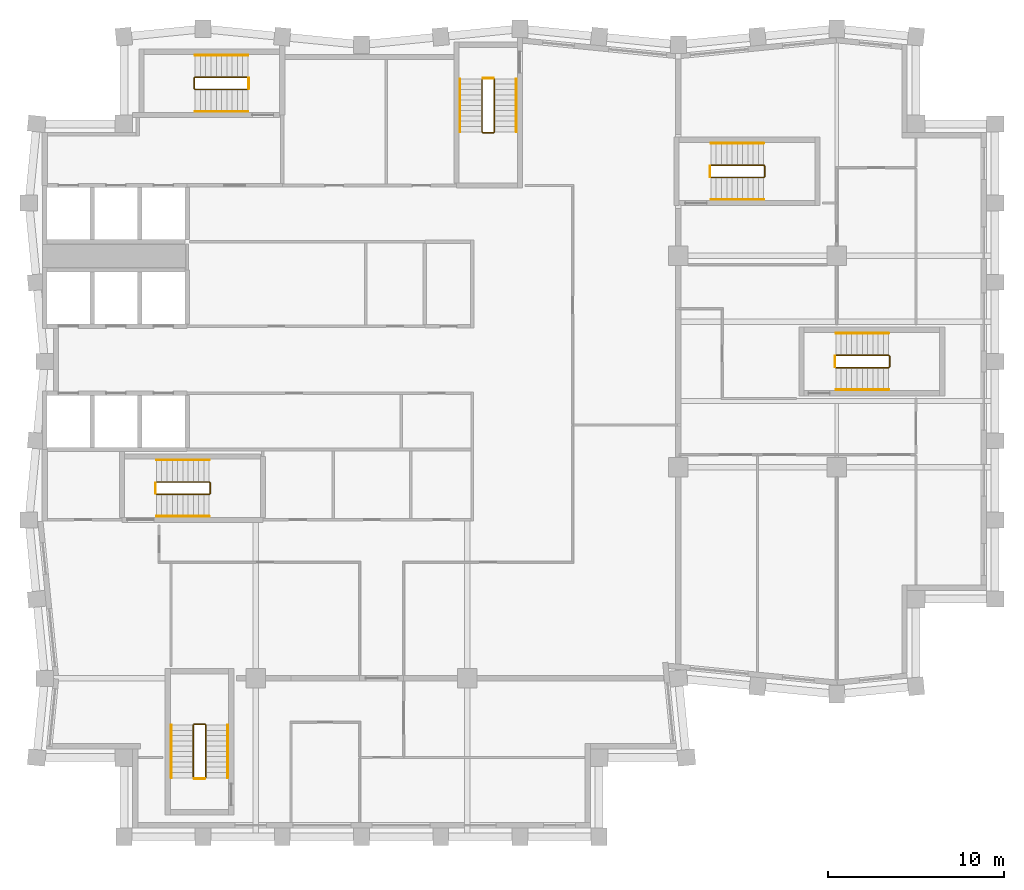
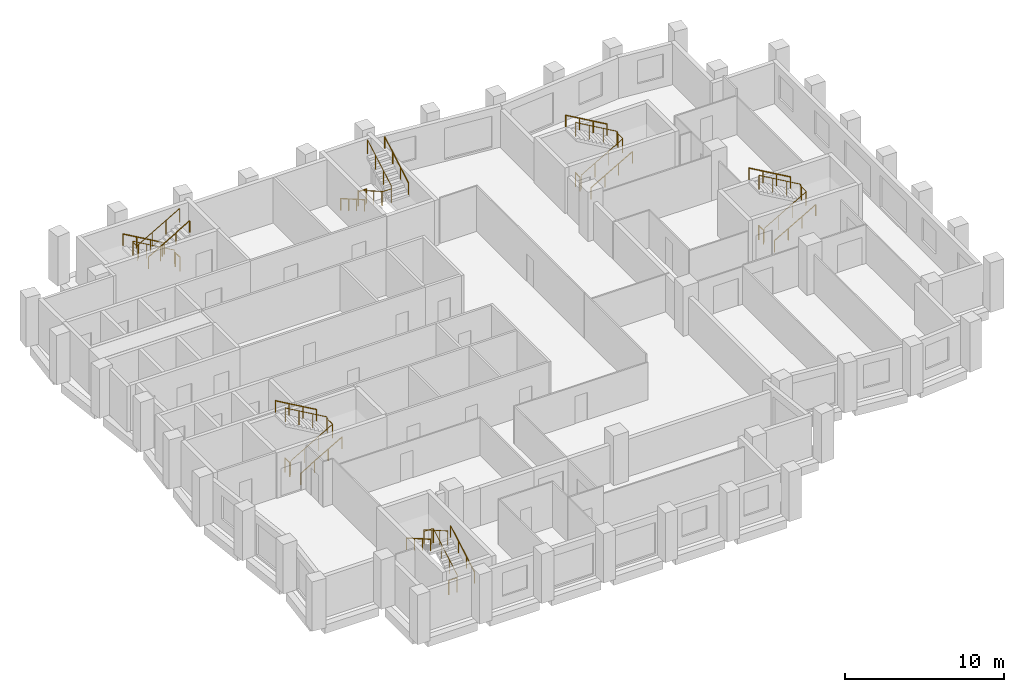
# One storey, part 8 of 8: 24 railings.
"""IFC4 building model written with IfcOpenShell, lengths in metres."""

from ifc_helpers import new_model, si_unit, direction, frame, origin, origin_2d, place, context, subcontext, project, spatial, circle, extrude, material, type_object, element, save


model = new_model("IFC4")

# Units and contexts
model_context = context("Model", 3, precision=1e-05, world=origin(), true_north=direction((0.0, 1.0)))
body_context = subcontext(model_context, "Body", "Model", "MODEL_VIEW")
ifc_project = project(units=[si_unit("LENGTHUNIT", "METRE"), si_unit("AREAUNIT", "SQUARE_METRE"), si_unit("VOLUMEUNIT", "CUBIC_METRE"), si_unit("PLANEANGLEUNIT", "RADIAN"), si_unit("MASSUNIT", "GRAM", prefix="KILO")], contexts=[model_context])

# Site, building, storey
site_placement = place(None, origin())
site = spatial("IfcSite", under=ifc_project, at=site_placement, CompositionType="ELEMENT")
building_placement = place(site_placement, origin())
building = spatial("IfcBuilding", under=site, at=building_placement, Name="Brondeck Convention Tower", CompositionType="ELEMENT")
storey_placement = place(building_placement, frame((0.0, 0.0, 217.800048828125)))
storey = spatial("IfcBuildingStorey", under=building, at=storey_placement, Name="L53", CompositionType="ELEMENT", Elevation=217.800048828125)

# Railings
ifc_material = material(Name="Steel S355", Category="steel")
railing_type_1 = type_object("IfcRailingType", Name="Stair guard 1100", PredefinedType="GUARDRAIL", material=ifc_material)
railing_1_placement = place(storey_placement, frame((6.35009765625, 37.449951171875, 0.172607421875)))
element("IfcRailing", 1, at=railing_1_placement, inside=storey, type_object=railing_type_1, Name="L53 ST-1 stair guard 1", PredefinedType="GUARDRAIL", context=body_context, shape_type="SweptSolid", body=[
    extrude(circle(Radius=0.02392578125, at=origin_2d()), frame((0.0, 0.0, 1.076171875), z_axis=(0.866619684472, 0.0, 0.498969260062), x_axis=(0.0, 1.0, 0.0)), (0.0, 0.0, 1.0), 3.461669921875),
    extrude(circle(Radius=0.02392578125, at=origin_2d()), frame((3.0, 0.0, 2.80322265625), z_axis=(0.705375805398, 0.708833529934, 0.0), x_axis=(-0.708833529934, 0.705375805398, 0.0)), (0.0, 0.0, 1.0), 0.070556640625),
    extrude(circle(Radius=0.02392578125, at=origin_2d()), frame((3.0498046875, 0.050048828125, 2.80322265625), z_axis=(0.0, 1.0, 0.0), x_axis=(-1.0, 0.0, 0.0)), (0.0, 0.0, 1.0), 0.60009765625),
    extrude(circle(Radius=0.02392578125, at=origin_2d()), frame((3.0498046875, 0.650146484375, 2.80322265625), z_axis=(-0.266832911964, 0.266832911964, 0.926067165051), x_axis=(-0.707106781187, -0.707106781187, 0.0)), (0.0, 0.0, 1.0), 0.186767578125),
    extrude(circle(Radius=0.02392578125, at=origin_2d()), frame((3.0, 0.699951171875, 2.97607421875), z_axis=(-0.866619684472, 0.0, 0.498969260062), x_axis=(0.0, -1.0, 0.0)), (0.0, 0.0, 1.0), 3.461669921875),
    extrude(circle(Radius=0.02099609375, at=origin_2d()), origin(), (0.0, 0.0, 1.0), 1.052001953125),
    extrude(circle(Radius=0.02099609375, at=origin_2d()), frame((1.0, 0.0, 0.57568359375)), (0.0, 0.0, 1.0), 1.052001953125),
    extrude(circle(Radius=0.02099609375, at=origin_2d()), frame((2.0, 0.0, 1.151611328125)), (0.0, 0.0, 1.0), 1.052001953125),
    extrude(circle(Radius=0.02099609375, at=origin_2d()), frame((3.0, 0.0, 1.727294921875)), (0.0, 0.0, 1.0), 1.052001953125),
    extrude(circle(Radius=0.02099609375, at=origin_2d()), frame((3.0498046875, 0.050048828125, 1.727294921875)), (0.0, 0.0, 1.0), 1.052001953125),
    extrude(circle(Radius=0.02099609375, at=origin_2d()), frame((3.0498046875, 0.650146484375, 1.727294921875)), (0.0, 0.0, 1.0), 1.052001953125),
    extrude(circle(Radius=0.02099609375, at=origin_2d()), frame((3.0, 0.699951171875, 1.900146484375)), (0.0, 0.0, 1.0), 1.052001953125),
    extrude(circle(Radius=0.02099609375, at=origin_2d()), frame((2.0, 0.699951171875, 2.475830078125)), (0.0, 0.0, 1.0), 1.052001953125),
    extrude(circle(Radius=0.02099609375, at=origin_2d()), frame((1.0, 0.699951171875, 3.0517578125)), (0.0, 0.0, 1.0), 1.052001953125),
    extrude(circle(Radius=0.02099609375, at=origin_2d()), frame((0.0, 0.699951171875, 3.62744140625)), (0.0, 0.0, 1.0), 1.052001953125),
])
railing_2_placement = place(storey_placement, frame((6.300048828125, 37.5, 0.0)))
element("IfcRailing", 2, at=railing_2_placement, inside=storey, type_object=railing_type_1, Name="L53 ST-1 stair guard 2", PredefinedType="GUARDRAIL", context=body_context, shape_type="SweptSolid", body=[
    extrude(circle(Radius=0.02392578125, at=origin_2d()), frame((0.0, 0.0, 1.076171875), z_axis=(0.0, 1.0, 0.0), x_axis=(-1.0, 0.0, 0.0)), (0.0, 0.0, 1.0), 0.60009765625),
    extrude(circle(Radius=0.02099609375, at=origin_2d()), origin(), (0.0, 0.0, 1.0), 1.052001953125),
    extrude(circle(Radius=0.02099609375, at=origin_2d()), frame((0.0, 0.60009765625, 0.0)), (0.0, 0.0, 1.0), 1.052001953125),
])
railing_3_placement = place(storey_placement, frame((24.85009765625, 61.050048828125, 0.172607421875)))
element("IfcRailing", 3, at=railing_3_placement, inside=storey, type_object=railing_type_1, Name="L53 ST-2 stair guard 1", PredefinedType="GUARDRAIL", context=body_context, shape_type="SweptSolid", body=[
    extrude(circle(Radius=0.02392578125, at=origin_2d()), frame((0.0, 0.0, 1.076171875), z_axis=(0.0, -0.866619684472, 0.498969260062), x_axis=(1.0, 0.0, 0.0)), (0.0, 0.0, 1.0), 3.461669921875),
    extrude(circle(Radius=0.02392578125, at=origin_2d()), frame((0.0, -3.0, 2.80322265625), z_axis=(0.705375805398, -0.708833529934, 0.0), x_axis=(0.708833529934, 0.705375805398, 0.0)), (0.0, 0.0, 1.0), 0.070556640625),
    extrude(circle(Radius=0.02392578125, at=origin_2d()), frame((0.0498046875, -3.050048828125, 2.80322265625), z_axis=(1.0, 0.0, 0.0), x_axis=(0.0, 1.0, 0.0)), (0.0, 0.0, 1.0), 0.60009765625),
    extrude(circle(Radius=0.02392578125, at=origin_2d()), frame((0.64990234375, -3.050048828125, 2.80322265625), z_axis=(0.267953482034, 0.267953482034, 0.925419830635), x_axis=(-0.707106781187, 0.707106781187, 0.0)), (0.0, 0.0, 1.0), 0.186767578125),
    extrude(circle(Radius=0.02392578125, at=origin_2d()), frame((0.699951171875, -3.0, 2.97607421875), z_axis=(0.0, 0.866619684472, 0.498969260062), x_axis=(-1.0, 0.0, 0.0)), (0.0, 0.0, 1.0), 3.461669921875),
    extrude(circle(Radius=0.02099609375, at=origin_2d()), origin(), (0.0, 0.0, 1.0), 1.052001953125),
    extrude(circle(Radius=0.02099609375, at=origin_2d()), frame((0.0, -1.0, 0.57568359375)), (0.0, 0.0, 1.0), 1.052001953125),
    extrude(circle(Radius=0.02099609375, at=origin_2d()), frame((0.0, -2.0, 1.151611328125)), (0.0, 0.0, 1.0), 1.052001953125),
    extrude(circle(Radius=0.02099609375, at=origin_2d()), frame((0.0, -3.0, 1.727294921875)), (0.0, 0.0, 1.0), 1.052001953125),
    extrude(circle(Radius=0.02099609375, at=origin_2d()), frame((0.0498046875, -3.050048828125, 1.727294921875)), (0.0, 0.0, 1.0), 1.052001953125),
    extrude(circle(Radius=0.02099609375, at=origin_2d()), frame((0.64990234375, -3.050048828125, 1.727294921875)), (0.0, 0.0, 1.0), 1.052001953125),
    extrude(circle(Radius=0.02099609375, at=origin_2d()), frame((0.699951171875, -3.0, 1.900146484375)), (0.0, 0.0, 1.0), 1.052001953125),
    extrude(circle(Radius=0.02099609375, at=origin_2d()), frame((0.699951171875, -2.0, 2.475830078125)), (0.0, 0.0, 1.0), 1.052001953125),
    extrude(circle(Radius=0.02099609375, at=origin_2d()), frame((0.699951171875, -1.0, 3.0517578125)), (0.0, 0.0, 1.0), 1.052001953125),
    extrude(circle(Radius=0.02099609375, at=origin_2d()), frame((0.699951171875, 0.0, 3.62744140625)), (0.0, 0.0, 1.0), 1.052001953125),
])
railing_4_placement = place(storey_placement, frame((24.89990234375, 61.10009765625, 0.0)))
element("IfcRailing", 4, at=railing_4_placement, inside=storey, type_object=railing_type_1, Name="L53 ST-2 stair guard 2", PredefinedType="GUARDRAIL", context=body_context, shape_type="SweptSolid", body=[
    extrude(circle(Radius=0.02392578125, at=origin_2d()), frame((0.0, 0.0, 1.076171875), z_axis=(1.0, 0.0, 0.0), x_axis=(0.0, 1.0, 0.0)), (0.0, 0.0, 1.0), 0.60009765625),
    extrude(circle(Radius=0.02099609375, at=origin_2d()), origin(), (0.0, 0.0, 1.0), 1.052001953125),
    extrude(circle(Radius=0.02099609375, at=origin_2d()), frame((0.60009765625, 0.0, 0.0)), (0.0, 0.0, 1.0), 1.052001953125),
])
railing_5_placement = place(storey_placement, frame((11.550048828125, 61.14990234375, 0.172607421875)))
element("IfcRailing", 5, at=railing_5_placement, inside=storey, type_object=railing_type_1, Name="L53 ST-3 stair guard 1", PredefinedType="GUARDRAIL", context=body_context, shape_type="SweptSolid", body=[
    extrude(circle(Radius=0.02392578125, at=origin_2d()), frame((0.0, 0.0, 1.076171875), z_axis=(-0.866619684472, 0.0, 0.498969260062), x_axis=(0.0, -1.0, 0.0)), (0.0, 0.0, 1.0), 3.461669921875),
    extrude(circle(Radius=0.02392578125, at=origin_2d()), frame((-3.0, 0.0, 2.80322265625), z_axis=(-0.708833529934, -0.705375805398, 0.0), x_axis=(0.705375805398, -0.708833529934, 0.0)), (0.0, 0.0, 1.0), 0.070556640625),
    extrude(circle(Radius=0.02392578125, at=origin_2d()), frame((-3.050048828125, -0.0498046875, 2.80322265625), z_axis=(0.0, -1.0, 0.0), x_axis=(1.0, 0.0, 0.0)), (0.0, 0.0, 1.0), 0.60009765625),
    extrude(circle(Radius=0.02392578125, at=origin_2d()), frame((-3.050048828125, -0.64990234375, 2.80322265625), z_axis=(0.267953482034, -0.267953482034, 0.925419830635), x_axis=(0.707106781187, 0.707106781187, 0.0)), (0.0, 0.0, 1.0), 0.186767578125),
    extrude(circle(Radius=0.02392578125, at=origin_2d()), frame((-3.0, -0.699951171875, 2.97607421875), z_axis=(0.866619684472, 0.0, 0.498969260062), x_axis=(0.0, 1.0, 0.0)), (0.0, 0.0, 1.0), 3.461669921875),
    extrude(circle(Radius=0.02099609375, at=origin_2d()), origin(), (0.0, 0.0, 1.0), 1.052001953125),
    extrude(circle(Radius=0.02099609375, at=origin_2d()), frame((-1.0, 0.0, 0.57568359375)), (0.0, 0.0, 1.0), 1.052001953125),
    extrude(circle(Radius=0.02099609375, at=origin_2d()), frame((-2.0, 0.0, 1.151611328125)), (0.0, 0.0, 1.0), 1.052001953125),
    extrude(circle(Radius=0.02099609375, at=origin_2d()), frame((-3.0, 0.0, 1.727294921875)), (0.0, 0.0, 1.0), 1.052001953125),
    extrude(circle(Radius=0.02099609375, at=origin_2d()), frame((-3.050048828125, -0.0498046875, 1.727294921875)), (0.0, 0.0, 1.0), 1.052001953125),
    extrude(circle(Radius=0.02099609375, at=origin_2d()), frame((-3.050048828125, -0.64990234375, 1.727294921875)), (0.0, 0.0, 1.0), 1.052001953125),
    extrude(circle(Radius=0.02099609375, at=origin_2d()), frame((-3.0, -0.699951171875, 1.900146484375)), (0.0, 0.0, 1.0), 1.052001953125),
    extrude(circle(Radius=0.02099609375, at=origin_2d()), frame((-2.0, -0.699951171875, 2.475830078125)), (0.0, 0.0, 1.0), 1.052001953125),
    extrude(circle(Radius=0.02099609375, at=origin_2d()), frame((-1.0, -0.699951171875, 3.0517578125)), (0.0, 0.0, 1.0), 1.052001953125),
    extrude(circle(Radius=0.02099609375, at=origin_2d()), frame((0.0, -0.699951171875, 3.62744140625)), (0.0, 0.0, 1.0), 1.052001953125),
])
railing_6_placement = place(storey_placement, frame((11.60009765625, 61.10009765625, 0.0)))
element("IfcRailing", 6, at=railing_6_placement, inside=storey, type_object=railing_type_1, Name="L53 ST-3 stair guard 2", PredefinedType="GUARDRAIL", context=body_context, shape_type="SweptSolid", body=[
    extrude(circle(Radius=0.02392578125, at=origin_2d()), frame((0.0, 0.0, 1.076171875), z_axis=(0.0, -1.0, 0.0), x_axis=(1.0, 0.0, 0.0)), (0.0, 0.0, 1.0), 0.60009765625),
    extrude(circle(Radius=0.02099609375, at=origin_2d()), origin(), (0.0, 0.0, 1.0), 1.052001953125),
    extrude(circle(Radius=0.02099609375, at=origin_2d()), frame((0.0, -0.60009765625, 0.0)), (0.0, 0.0, 1.0), 1.052001953125),
])
railing_7_placement = place(storey_placement, frame((37.85009765625, 55.449951171875, 0.172607421875)))
element("IfcRailing", 7, at=railing_7_placement, inside=storey, type_object=railing_type_1, Name="L53 ST-AE stair guard 1", PredefinedType="GUARDRAIL", context=body_context, shape_type="SweptSolid", body=[
    extrude(circle(Radius=0.02392578125, at=origin_2d()), frame((0.0, 0.0, 1.076171875), z_axis=(0.866619684472, 0.0, 0.498969260062), x_axis=(0.0, 1.0, 0.0)), (0.0, 0.0, 1.0), 3.461669921875),
    extrude(circle(Radius=0.02392578125, at=origin_2d()), frame((3.0, 0.0, 2.80322265625), z_axis=(0.705375805398, 0.708833529934, 0.0), x_axis=(-0.708833529934, 0.705375805398, 0.0)), (0.0, 0.0, 1.0), 0.070556640625),
    extrude(circle(Radius=0.02392578125, at=origin_2d()), frame((3.0498046875, 0.050048828125, 2.80322265625), z_axis=(0.0, 1.0, 0.0), x_axis=(-1.0, 0.0, 0.0)), (0.0, 0.0, 1.0), 0.60009765625),
    extrude(circle(Radius=0.02392578125, at=origin_2d()), frame((3.0498046875, 0.650146484375, 2.80322265625), z_axis=(-0.266832911964, 0.266832911964, 0.926067165051), x_axis=(-0.707106781187, -0.707106781187, 0.0)), (0.0, 0.0, 1.0), 0.186767578125),
    extrude(circle(Radius=0.02392578125, at=origin_2d()), frame((3.0, 0.699951171875, 2.97607421875), z_axis=(-0.866619684472, 0.0, 0.498969260062), x_axis=(0.0, -1.0, 0.0)), (0.0, 0.0, 1.0), 3.461669921875),
    extrude(circle(Radius=0.02099609375, at=origin_2d()), origin(), (0.0, 0.0, 1.0), 1.052001953125),
    extrude(circle(Radius=0.02099609375, at=origin_2d()), frame((1.0, 0.0, 0.57568359375)), (0.0, 0.0, 1.0), 1.052001953125),
    extrude(circle(Radius=0.02099609375, at=origin_2d()), frame((2.0, 0.0, 1.151611328125)), (0.0, 0.0, 1.0), 1.052001953125),
    extrude(circle(Radius=0.02099609375, at=origin_2d()), frame((3.0, 0.0, 1.727294921875)), (0.0, 0.0, 1.0), 1.052001953125),
    extrude(circle(Radius=0.02099609375, at=origin_2d()), frame((3.0498046875, 0.050048828125, 1.727294921875)), (0.0, 0.0, 1.0), 1.052001953125),
    extrude(circle(Radius=0.02099609375, at=origin_2d()), frame((3.0498046875, 0.650146484375, 1.727294921875)), (0.0, 0.0, 1.0), 1.052001953125),
    extrude(circle(Radius=0.02099609375, at=origin_2d()), frame((3.0, 0.699951171875, 1.900146484375)), (0.0, 0.0, 1.0), 1.052001953125),
    extrude(circle(Radius=0.02099609375, at=origin_2d()), frame((2.0, 0.699951171875, 2.475830078125)), (0.0, 0.0, 1.0), 1.052001953125),
    extrude(circle(Radius=0.02099609375, at=origin_2d()), frame((1.0, 0.699951171875, 3.0517578125)), (0.0, 0.0, 1.0), 1.052001953125),
    extrude(circle(Radius=0.02099609375, at=origin_2d()), frame((0.0, 0.699951171875, 3.62744140625)), (0.0, 0.0, 1.0), 1.052001953125),
])
railing_8_placement = place(storey_placement, frame((37.800048828125, 55.5, 0.0)))
element("IfcRailing", 8, at=railing_8_placement, inside=storey, type_object=railing_type_1, Name="L53 ST-AE stair guard 2", PredefinedType="GUARDRAIL", context=body_context, shape_type="SweptSolid", body=[
    extrude(circle(Radius=0.02392578125, at=origin_2d()), frame((0.0, 0.0, 1.076171875), z_axis=(0.0, 1.0, 0.0), x_axis=(-1.0, 0.0, 0.0)), (0.0, 0.0, 1.0), 0.60009765625),
    extrude(circle(Radius=0.02099609375, at=origin_2d()), origin(), (0.0, 0.0, 1.0), 1.052001953125),
    extrude(circle(Radius=0.02099609375, at=origin_2d()), frame((0.0, 0.60009765625, 0.0)), (0.0, 0.0, 1.0), 1.052001953125),
])
railing_9_placement = place(storey_placement, frame((9.14990234375, 21.35009765625, 0.172607421875)))
element("IfcRailing", 9, at=railing_9_placement, inside=storey, type_object=railing_type_1, Name="L53 ST-BE stair guard 1", PredefinedType="GUARDRAIL", context=body_context, shape_type="SweptSolid", body=[
    extrude(circle(Radius=0.02392578125, at=origin_2d()), frame((0.0, 0.0, 1.076171875), z_axis=(0.0, 0.866619684472, 0.498969260062), x_axis=(-1.0, 0.0, 0.0)), (0.0, 0.0, 1.0), 3.461669921875),
    extrude(circle(Radius=0.02392578125, at=origin_2d()), frame((0.0, 3.0, 2.80322265625), z_axis=(-0.707106781187, 0.707106781187, 0.0), x_axis=(-0.707106781187, -0.707106781187, 0.0)), (0.0, 0.0, 1.0), 0.0703125),
    extrude(circle(Radius=0.02392578125, at=origin_2d()), frame((-0.0498046875, 3.0498046875, 2.80322265625), z_axis=(-1.0, 0.0, 0.0), x_axis=(0.0, -1.0, 0.0)), (0.0, 0.0, 1.0), 0.60009765625),
    extrude(circle(Radius=0.02392578125, at=origin_2d()), frame((-0.64990234375, 3.0498046875, 2.80322265625), z_axis=(-0.268047150085, -0.266739603011, 0.925743328097), x_axis=(0.705375805398, -0.708833529934, 0.0)), (0.0, 0.0, 1.0), 0.186767578125),
    extrude(circle(Radius=0.02392578125, at=origin_2d()), frame((-0.699951171875, 3.0, 2.97607421875), z_axis=(0.0, -0.866619684472, 0.498969260062), x_axis=(1.0, 0.0, 0.0)), (0.0, 0.0, 1.0), 3.461669921875),
    extrude(circle(Radius=0.02099609375, at=origin_2d()), origin(), (0.0, 0.0, 1.0), 1.052001953125),
    extrude(circle(Radius=0.02099609375, at=origin_2d()), frame((0.0, 1.0, 0.57568359375)), (0.0, 0.0, 1.0), 1.052001953125),
    extrude(circle(Radius=0.02099609375, at=origin_2d()), frame((0.0, 2.0, 1.151611328125)), (0.0, 0.0, 1.0), 1.052001953125),
    extrude(circle(Radius=0.02099609375, at=origin_2d()), frame((0.0, 3.0, 1.727294921875)), (0.0, 0.0, 1.0), 1.052001953125),
    extrude(circle(Radius=0.02099609375, at=origin_2d()), frame((-0.0498046875, 3.0498046875, 1.727294921875)), (0.0, 0.0, 1.0), 1.052001953125),
    extrude(circle(Radius=0.02099609375, at=origin_2d()), frame((-0.64990234375, 3.0498046875, 1.727294921875)), (0.0, 0.0, 1.0), 1.052001953125),
    extrude(circle(Radius=0.02099609375, at=origin_2d()), frame((-0.699951171875, 3.0, 1.900146484375)), (0.0, 0.0, 1.0), 1.052001953125),
    extrude(circle(Radius=0.02099609375, at=origin_2d()), frame((-0.699951171875, 2.0, 2.475830078125)), (0.0, 0.0, 1.0), 1.052001953125),
    extrude(circle(Radius=0.02099609375, at=origin_2d()), frame((-0.699951171875, 1.0, 3.0517578125)), (0.0, 0.0, 1.0), 1.052001953125),
    extrude(circle(Radius=0.02099609375, at=origin_2d()), frame((-0.699951171875, 0.0, 3.62744140625)), (0.0, 0.0, 1.0), 1.052001953125),
])
railing_10_placement = place(storey_placement, frame((9.10009765625, 21.300048828125, 0.0)))
element("IfcRailing", 10, at=railing_10_placement, inside=storey, type_object=railing_type_1, Name="L53 ST-BE stair guard 2", PredefinedType="GUARDRAIL", context=body_context, shape_type="SweptSolid", body=[
    extrude(circle(Radius=0.02392578125, at=origin_2d()), frame((0.0, 0.0, 1.076171875), z_axis=(-1.0, 0.0, 0.0), x_axis=(0.0, -1.0, 0.0)), (0.0, 0.0, 1.0), 0.60009765625),
    extrude(circle(Radius=0.02099609375, at=origin_2d()), origin(), (0.0, 0.0, 1.0), 1.052001953125),
    extrude(circle(Radius=0.02099609375, at=origin_2d()), frame((-0.60009765625, 0.0, 0.0)), (0.0, 0.0, 1.0), 1.052001953125),
])
railing_11_placement = place(storey_placement, frame((44.949951171875, 44.64990234375, 0.172607421875)))
element("IfcRailing", 11, at=railing_11_placement, inside=storey, type_object=railing_type_1, Name="L53 ST-AF stair guard 1", PredefinedType="GUARDRAIL", context=body_context, shape_type="SweptSolid", body=[
    extrude(circle(Radius=0.02392578125, at=origin_2d()), frame((0.0, 0.0, 1.076171875), z_axis=(0.866619684472, 0.0, 0.498969260062), x_axis=(0.0, 1.0, 0.0)), (0.0, 0.0, 1.0), 3.461669921875),
    extrude(circle(Radius=0.02392578125, at=origin_2d()), frame((3.0, 0.0, 2.80322265625), z_axis=(0.707106781187, 0.707106781187, 0.0), x_axis=(-0.707106781187, 0.707106781187, 0.0)), (0.0, 0.0, 1.0), 0.07080078125),
    extrude(circle(Radius=0.02392578125, at=origin_2d()), frame((3.050048828125, 0.050048828125, 2.80322265625), z_axis=(0.0, 1.0, 0.0), x_axis=(-1.0, 0.0, 0.0)), (0.0, 0.0, 1.0), 0.60009765625),
    extrude(circle(Radius=0.02392578125, at=origin_2d()), frame((3.050048828125, 0.650146484375, 2.80322265625), z_axis=(-0.267953482034, 0.267953482034, 0.925419830635), x_axis=(-0.707106781187, -0.707106781187, 0.0)), (0.0, 0.0, 1.0), 0.186767578125),
    extrude(circle(Radius=0.02392578125, at=origin_2d()), frame((3.0, 0.7001953125, 2.97607421875), z_axis=(-0.866619684472, 0.0, 0.498969260062), x_axis=(0.0, -1.0, 0.0)), (0.0, 0.0, 1.0), 3.461669921875),
    extrude(circle(Radius=0.02099609375, at=origin_2d()), origin(), (0.0, 0.0, 1.0), 1.052001953125),
    extrude(circle(Radius=0.02099609375, at=origin_2d()), frame((1.0, 0.0, 0.57568359375)), (0.0, 0.0, 1.0), 1.052001953125),
    extrude(circle(Radius=0.02099609375, at=origin_2d()), frame((2.0, 0.0, 1.151611328125)), (0.0, 0.0, 1.0), 1.052001953125),
    extrude(circle(Radius=0.02099609375, at=origin_2d()), frame((3.0, 0.0, 1.727294921875)), (0.0, 0.0, 1.0), 1.052001953125),
    extrude(circle(Radius=0.02099609375, at=origin_2d()), frame((3.050048828125, 0.050048828125, 1.727294921875)), (0.0, 0.0, 1.0), 1.052001953125),
    extrude(circle(Radius=0.02099609375, at=origin_2d()), frame((3.050048828125, 0.650146484375, 1.727294921875)), (0.0, 0.0, 1.0), 1.052001953125),
    extrude(circle(Radius=0.02099609375, at=origin_2d()), frame((3.0, 0.7001953125, 1.900146484375)), (0.0, 0.0, 1.0), 1.052001953125),
    extrude(circle(Radius=0.02099609375, at=origin_2d()), frame((2.0, 0.7001953125, 2.475830078125)), (0.0, 0.0, 1.0), 1.052001953125),
    extrude(circle(Radius=0.02099609375, at=origin_2d()), frame((1.0, 0.7001953125, 3.0517578125)), (0.0, 0.0, 1.0), 1.052001953125),
    extrude(circle(Radius=0.02099609375, at=origin_2d()), frame((0.0, 0.7001953125, 3.62744140625)), (0.0, 0.0, 1.0), 1.052001953125),
])
railing_12_placement = place(storey_placement, frame((44.89990234375, 44.699951171875, 0.0)))
element("IfcRailing", 12, at=railing_12_placement, inside=storey, type_object=railing_type_1, Name="L53 ST-AF stair guard 2", PredefinedType="GUARDRAIL", context=body_context, shape_type="SweptSolid", body=[
    extrude(circle(Radius=0.02392578125, at=origin_2d()), frame((0.0, 0.0, 1.076171875), z_axis=(0.0, 1.0, 0.0), x_axis=(-1.0, 0.0, 0.0)), (0.0, 0.0, 1.0), 0.60009765625),
    extrude(circle(Radius=0.02099609375, at=origin_2d()), origin(), (0.0, 0.0, 1.0), 1.052001953125),
    extrude(circle(Radius=0.02099609375, at=origin_2d()), frame((0.0, 0.60009765625, 0.0)), (0.0, 0.0, 1.0), 1.052001953125),
])
railing_type_2 = type_object("IfcRailingType", Name="Stair handrail", PredefinedType="HANDRAIL", material=ifc_material)
railing_13_placement = place(storey_placement, frame((6.35009765625, 36.199951171875, 0.172607421875)))
element("IfcRailing", 13, at=railing_13_placement, inside=storey, type_object=railing_type_2, Name="L53 ST-1 stair handrail 1", PredefinedType="HANDRAIL", context=body_context, shape_type="SweptSolid", body=[
    extrude(circle(Radius=0.02392578125, at=origin_2d()), frame((0.0, 0.0, 0.8759765625), z_axis=(0.866619684472, 0.0, 0.498969260062), x_axis=(0.0, 1.0, 0.0)), (0.0, 0.0, 1.0), 3.461669921875),
    extrude(circle(Radius=0.02099609375, at=origin_2d()), origin(), (0.0, 0.0, 1.0), 0.851806640625),
    extrude(circle(Radius=0.02099609375, at=origin_2d()), frame((1.0, 0.0, 0.57568359375)), (0.0, 0.0, 1.0), 0.851806640625),
    extrude(circle(Radius=0.02099609375, at=origin_2d()), frame((2.0, 0.0, 1.151611328125)), (0.0, 0.0, 1.0), 0.851806640625),
    extrude(circle(Radius=0.02099609375, at=origin_2d()), frame((3.0, 0.0, 1.727294921875)), (0.0, 0.0, 1.0), 0.851806640625),
])
railing_14_placement = place(storey_placement, frame((9.35009765625, 39.39990234375, 2.07275390625)))
element("IfcRailing", 14, at=railing_14_placement, inside=storey, type_object=railing_type_2, Name="L53 ST-1 stair handrail 2", PredefinedType="HANDRAIL", context=body_context, shape_type="SweptSolid", body=[
    extrude(circle(Radius=0.02392578125, at=origin_2d()), frame((0.0, 0.0, 0.8759765625), z_axis=(-0.866619684472, 0.0, 0.498969260062), x_axis=(0.0, -1.0, 0.0)), (0.0, 0.0, 1.0), 3.461669921875),
    extrude(circle(Radius=0.02099609375, at=origin_2d()), origin(), (0.0, 0.0, 1.0), 0.851806640625),
    extrude(circle(Radius=0.02099609375, at=origin_2d()), frame((-1.0, 0.0, 0.57568359375)), (0.0, 0.0, 1.0), 0.851806640625),
    extrude(circle(Radius=0.02099609375, at=origin_2d()), frame((-2.0, 0.0, 1.151611328125)), (0.0, 0.0, 1.0), 0.851806640625),
    extrude(circle(Radius=0.02099609375, at=origin_2d()), frame((-3.0, 0.0, 1.727294921875)), (0.0, 0.0, 1.0), 0.851806640625),
])
railing_15_placement = place(storey_placement, frame((23.60009765625, 61.050048828125, 0.172607421875)))
element("IfcRailing", 15, at=railing_15_placement, inside=storey, type_object=railing_type_2, Name="L53 ST-2 stair handrail 1", PredefinedType="HANDRAIL", context=body_context, shape_type="SweptSolid", body=[
    extrude(circle(Radius=0.02392578125, at=origin_2d()), frame((0.0, 0.0, 0.8759765625), z_axis=(0.0, -0.866619684472, 0.498969260062), x_axis=(1.0, 0.0, 0.0)), (0.0, 0.0, 1.0), 3.461669921875),
    extrude(circle(Radius=0.02099609375, at=origin_2d()), origin(), (0.0, 0.0, 1.0), 0.851806640625),
    extrude(circle(Radius=0.02099609375, at=origin_2d()), frame((0.0, -1.0, 0.57568359375)), (0.0, 0.0, 1.0), 0.851806640625),
    extrude(circle(Radius=0.02099609375, at=origin_2d()), frame((0.0, -2.0, 1.151611328125)), (0.0, 0.0, 1.0), 0.851806640625),
    extrude(circle(Radius=0.02099609375, at=origin_2d()), frame((0.0, -3.0, 1.727294921875)), (0.0, 0.0, 1.0), 0.851806640625),
])
railing_16_placement = place(storey_placement, frame((26.800048828125, 58.050048828125, 2.07275390625)))
element("IfcRailing", 16, at=railing_16_placement, inside=storey, type_object=railing_type_2, Name="L53 ST-2 stair handrail 2", PredefinedType="HANDRAIL", context=body_context, shape_type="SweptSolid", body=[
    extrude(circle(Radius=0.02392578125, at=origin_2d()), frame((0.0, 0.0, 0.8759765625), z_axis=(0.0, 0.866619684472, 0.498969260062), x_axis=(-1.0, 0.0, 0.0)), (0.0, 0.0, 1.0), 3.461669921875),
    extrude(circle(Radius=0.02099609375, at=origin_2d()), origin(), (0.0, 0.0, 1.0), 0.851806640625),
    extrude(circle(Radius=0.02099609375, at=origin_2d()), frame((0.0, 1.0, 0.57568359375)), (0.0, 0.0, 1.0), 0.851806640625),
    extrude(circle(Radius=0.02099609375, at=origin_2d()), frame((0.0, 2.0, 1.151611328125)), (0.0, 0.0, 1.0), 0.851806640625),
    extrude(circle(Radius=0.02099609375, at=origin_2d()), frame((0.0, 3.0, 1.727294921875)), (0.0, 0.0, 1.0), 0.851806640625),
])
railing_17_placement = place(storey_placement, frame((11.550048828125, 62.39990234375, 0.172607421875)))
element("IfcRailing", 17, at=railing_17_placement, inside=storey, type_object=railing_type_2, Name="L53 ST-3 stair handrail 1", PredefinedType="HANDRAIL", context=body_context, shape_type="SweptSolid", body=[
    extrude(circle(Radius=0.02392578125, at=origin_2d()), frame((0.0, 0.0, 0.8759765625), z_axis=(-0.866619684472, 0.0, 0.498969260062), x_axis=(0.0, -1.0, 0.0)), (0.0, 0.0, 1.0), 3.461669921875),
    extrude(circle(Radius=0.02099609375, at=origin_2d()), origin(), (0.0, 0.0, 1.0), 0.851806640625),
    extrude(circle(Radius=0.02099609375, at=origin_2d()), frame((-1.0, 0.0, 0.57568359375)), (0.0, 0.0, 1.0), 0.851806640625),
    extrude(circle(Radius=0.02099609375, at=origin_2d()), frame((-2.0, 0.0, 1.151611328125)), (0.0, 0.0, 1.0), 0.851806640625),
    extrude(circle(Radius=0.02099609375, at=origin_2d()), frame((-3.0, 0.0, 1.727294921875)), (0.0, 0.0, 1.0), 0.851806640625),
])
for number, where, name in (
    (18, (8.550048828125, 59.199951171875, 2.07275390625), "L53 ST-3 stair handrail 2"),
    (19, (37.85009765625, 54.199951171875, 0.172607421875), "L53 ST-AE stair handrail 1"),
):
    element("IfcRailing", number, at=place(storey_placement, frame(where)), inside=storey, type_object=railing_type_2, Name=name, PredefinedType="HANDRAIL", context=body_context, shape_type="SweptSolid", body=[
        extrude(circle(Radius=0.02392578125, at=origin_2d()), frame((0.0, 0.0, 0.8759765625), z_axis=(0.866619684472, 0.0, 0.498969260062), x_axis=(0.0, 1.0, 0.0)), (0.0, 0.0, 1.0), 3.461669921875),
        extrude(circle(Radius=0.02099609375, at=origin_2d()), origin(), (0.0, 0.0, 1.0), 0.851806640625),
        extrude(circle(Radius=0.02099609375, at=origin_2d()), frame((1.0, 0.0, 0.57568359375)), (0.0, 0.0, 1.0), 0.851806640625),
        extrude(circle(Radius=0.02099609375, at=origin_2d()), frame((2.0, 0.0, 1.151611328125)), (0.0, 0.0, 1.0), 0.851806640625),
        extrude(circle(Radius=0.02099609375, at=origin_2d()), frame((3.0, 0.0, 1.727294921875)), (0.0, 0.0, 1.0), 0.851806640625),
    ])
railing_18_placement = place(storey_placement, frame((40.85009765625, 57.39990234375, 2.07275390625)))
element("IfcRailing", 20, at=railing_18_placement, inside=storey, type_object=railing_type_2, Name="L53 ST-AE stair handrail 2", PredefinedType="HANDRAIL", context=body_context, shape_type="SweptSolid", body=[
    extrude(circle(Radius=0.02392578125, at=origin_2d()), frame((0.0, 0.0, 0.8759765625), z_axis=(-0.866619684472, 0.0, 0.498969260062), x_axis=(0.0, -1.0, 0.0)), (0.0, 0.0, 1.0), 3.461669921875),
    extrude(circle(Radius=0.02099609375, at=origin_2d()), origin(), (0.0, 0.0, 1.0), 0.851806640625),
    extrude(circle(Radius=0.02099609375, at=origin_2d()), frame((-1.0, 0.0, 0.57568359375)), (0.0, 0.0, 1.0), 0.851806640625),
    extrude(circle(Radius=0.02099609375, at=origin_2d()), frame((-2.0, 0.0, 1.151611328125)), (0.0, 0.0, 1.0), 0.851806640625),
    extrude(circle(Radius=0.02099609375, at=origin_2d()), frame((-3.0, 0.0, 1.727294921875)), (0.0, 0.0, 1.0), 0.851806640625),
])
railing_19_placement = place(storey_placement, frame((10.39990234375, 21.35009765625, 0.172607421875)))
element("IfcRailing", 21, at=railing_19_placement, inside=storey, type_object=railing_type_2, Name="L53 ST-BE stair handrail 1", PredefinedType="HANDRAIL", context=body_context, shape_type="SweptSolid", body=[
    extrude(circle(Radius=0.02392578125, at=origin_2d()), frame((0.0, 0.0, 0.8759765625), z_axis=(0.0, 0.866619684472, 0.498969260062), x_axis=(-1.0, 0.0, 0.0)), (0.0, 0.0, 1.0), 3.461669921875),
    extrude(circle(Radius=0.02099609375, at=origin_2d()), origin(), (0.0, 0.0, 1.0), 0.851806640625),
    extrude(circle(Radius=0.02099609375, at=origin_2d()), frame((0.0, 1.0, 0.57568359375)), (0.0, 0.0, 1.0), 0.851806640625),
    extrude(circle(Radius=0.02099609375, at=origin_2d()), frame((0.0, 2.0, 1.151611328125)), (0.0, 0.0, 1.0), 0.851806640625),
    extrude(circle(Radius=0.02099609375, at=origin_2d()), frame((0.0, 3.0, 1.727294921875)), (0.0, 0.0, 1.0), 0.851806640625),
])
railing_20_placement = place(storey_placement, frame((7.199951171875, 24.35009765625, 2.07275390625)))
element("IfcRailing", 22, at=railing_20_placement, inside=storey, type_object=railing_type_2, Name="L53 ST-BE stair handrail 2", PredefinedType="HANDRAIL", context=body_context, shape_type="SweptSolid", body=[
    extrude(circle(Radius=0.02392578125, at=origin_2d()), frame((0.0, 0.0, 0.8759765625), z_axis=(0.0, -0.866619684472, 0.498969260062), x_axis=(1.0, 0.0, 0.0)), (0.0, 0.0, 1.0), 3.461669921875),
    extrude(circle(Radius=0.02099609375, at=origin_2d()), origin(), (0.0, 0.0, 1.0), 0.851806640625),
    extrude(circle(Radius=0.02099609375, at=origin_2d()), frame((0.0, -1.0, 0.57568359375)), (0.0, 0.0, 1.0), 0.851806640625),
    extrude(circle(Radius=0.02099609375, at=origin_2d()), frame((0.0, -2.0, 1.151611328125)), (0.0, 0.0, 1.0), 0.851806640625),
    extrude(circle(Radius=0.02099609375, at=origin_2d()), frame((0.0, -3.0, 1.727294921875)), (0.0, 0.0, 1.0), 0.851806640625),
])
railing_21_placement = place(storey_placement, frame((44.949951171875, 43.39990234375, 0.172607421875)))
element("IfcRailing", 23, at=railing_21_placement, inside=storey, type_object=railing_type_2, Name="L53 ST-AF stair handrail 1", PredefinedType="HANDRAIL", context=body_context, shape_type="SweptSolid", body=[
    extrude(circle(Radius=0.02392578125, at=origin_2d()), frame((0.0, 0.0, 0.8759765625), z_axis=(0.866619684472, 0.0, 0.498969260062), x_axis=(0.0, 1.0, 0.0)), (0.0, 0.0, 1.0), 3.461669921875),
    extrude(circle(Radius=0.02099609375, at=origin_2d()), origin(), (0.0, 0.0, 1.0), 0.851806640625),
    extrude(circle(Radius=0.02099609375, at=origin_2d()), frame((1.0, 0.0, 0.57568359375)), (0.0, 0.0, 1.0), 0.851806640625),
    extrude(circle(Radius=0.02099609375, at=origin_2d()), frame((2.0, 0.0, 1.151611328125)), (0.0, 0.0, 1.0), 0.851806640625),
    extrude(circle(Radius=0.02099609375, at=origin_2d()), frame((3.0, 0.0, 1.727294921875)), (0.0, 0.0, 1.0), 0.851806640625),
])
railing_22_placement = place(storey_placement, frame((47.949951171875, 46.60009765625, 2.07275390625)))
element("IfcRailing", 24, at=railing_22_placement, inside=storey, type_object=railing_type_2, Name="L53 ST-AF stair handrail 2", PredefinedType="HANDRAIL", context=body_context, shape_type="SweptSolid", body=[
    extrude(circle(Radius=0.02392578125, at=origin_2d()), frame((0.0, 0.0, 0.8759765625), z_axis=(-0.866619684472, 0.0, 0.498969260062), x_axis=(0.0, -1.0, 0.0)), (0.0, 0.0, 1.0), 3.461669921875),
    extrude(circle(Radius=0.02099609375, at=origin_2d()), origin(), (0.0, 0.0, 1.0), 0.851806640625),
    extrude(circle(Radius=0.02099609375, at=origin_2d()), frame((-1.0, 0.0, 0.57568359375)), (0.0, 0.0, 1.0), 0.851806640625),
    extrude(circle(Radius=0.02099609375, at=origin_2d()), frame((-2.0, 0.0, 1.151611328125)), (0.0, 0.0, 1.0), 0.851806640625),
    extrude(circle(Radius=0.02099609375, at=origin_2d()), frame((-3.0, 0.0, 1.727294921875)), (0.0, 0.0, 1.0), 0.851806640625),
])

save(model, "model.ifc")
